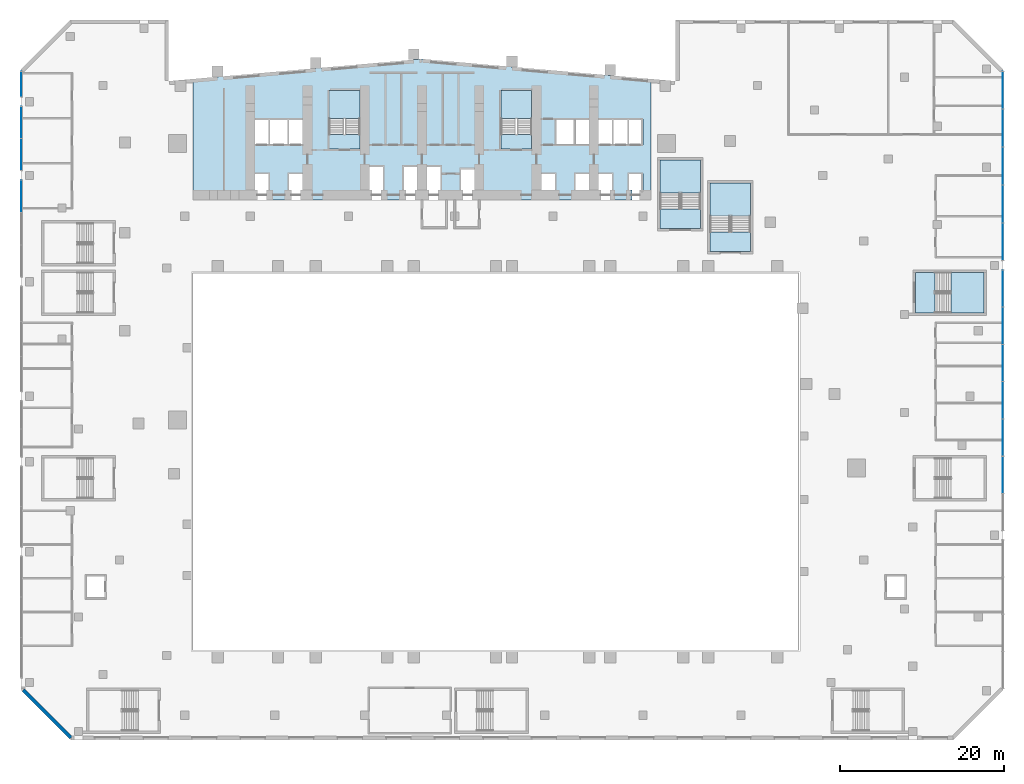
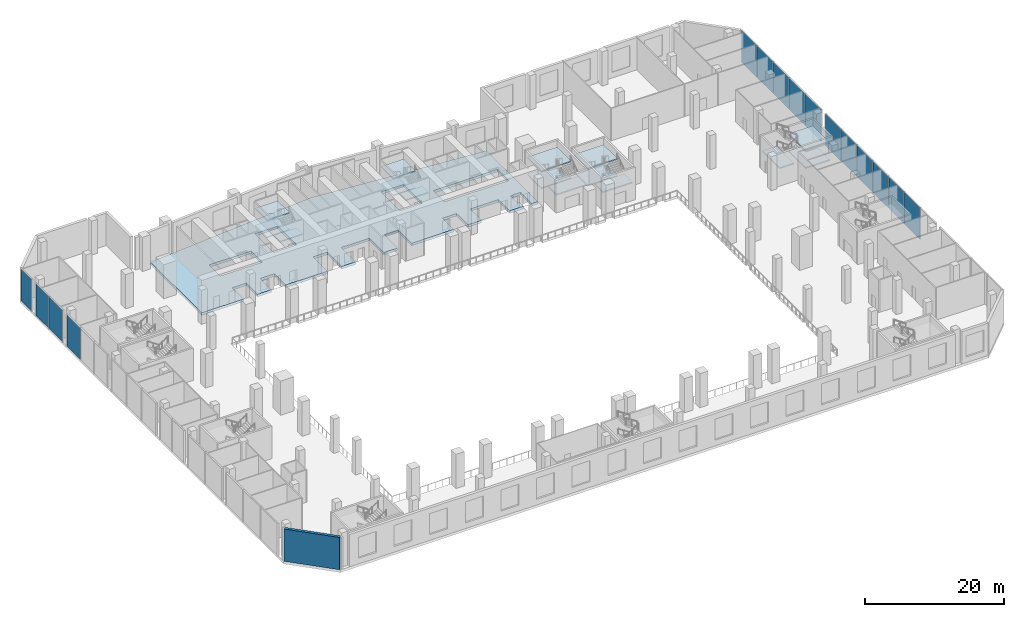
# One storey, part 9 of 30: 16 slabs, 15 plates, 1 wall, 10 elements without a shape of their own.
"""IFC4 building model written with IfcOpenShell, lengths in metres."""

from ifc_helpers import new_model, si_unit, direction, frame, frame_2d, origin, origin_2d, place, context, subcontext, project, spatial, polyline, rectangle, outline, extrude, material, layer, layer_set, type_object, element, aggregate, save


model = new_model("IFC4")

# Units and contexts
model_context = context("Model", 3, precision=1e-05, world=origin(), true_north=direction((0.0, 1.0)))
body_context = subcontext(model_context, "Body", "Model", "MODEL_VIEW")
ifc_project = project(units=[si_unit("LENGTHUNIT", "METRE"), si_unit("AREAUNIT", "SQUARE_METRE"), si_unit("VOLUMEUNIT", "CUBIC_METRE"), si_unit("PLANEANGLEUNIT", "RADIAN"), si_unit("MASSUNIT", "GRAM", prefix="KILO")], contexts=[model_context])

# Site, building, storey
site_placement = place(None, origin())
site = spatial("IfcSite", under=ifc_project, at=site_placement, CompositionType="ELEMENT")
building_placement = place(site_placement, origin())
building = spatial("IfcBuilding", under=site, at=building_placement, Name="Wharfspan Tower", CompositionType="ELEMENT")
storey_placement = place(building_placement, frame((0.0, 0.0, 21.5)))
storey = spatial("IfcBuildingStorey", under=building, at=storey_placement, Name="L03", CompositionType="ELEMENT", Elevation=21.5)

# Curtain wall, plates
ifc_material_1 = material(Name="Aluminium 6063-T6", Category="aluminium")
curtain_wall_type = type_object("IfcCurtainWallType", Name="CURTAIN WALL ARENA STICK WALL", PredefinedType="NOTDEFINED", material=ifc_material_1)
curtain_wall_1_placement = place(storey_placement, origin())
curtain_wall_1 = element("IfcCurtainWall", 1, at=curtain_wall_1_placement, inside=storey, type_object=curtain_wall_type, Name="Concourse stick wall PF3.2", PredefinedType="NOTDEFINED")
ifc_material_2 = material(Name="Glass clear laminated double glazing", Category="glass")
ifc_layer_1 = layer(ifc_material_2, 0.040039)
ifc_layer_set_1 = layer_set([ifc_layer_1], Name="Glass clear laminated double glazing")
plate_type = type_object("IfcPlateType", Name="GLASS PANEL ARENA STICK WALL 40", PredefinedType="CURTAIN_PANEL", material=ifc_layer_set_1)
plate_1_placement = place(storey_placement, frame((108.0, 0.385742, 0.0), z_axis=(0.0, 0.0, 1.0), x_axis=(0.0, 1.0, 0.0)))
plate_1 = element("IfcPlate", 2, at=plate_1_placement, type_object=plate_type, Name="Concourse stick wall PF3.2 panel 2", PredefinedType="CURTAIN_PANEL", context=body_context, shape_type="SweptSolid", body=[
    extrude(rectangle(XDim=4.487061, YDim=0.040039, at=origin_2d()), origin(), (0.0, 0.0, 1.0), 5.610107),
])
plate_2_placement = place(storey_placement, frame((108.0, 4.942871, 0.0), z_axis=(0.0, 0.0, 1.0), x_axis=(0.0, 1.0, 0.0)))
plate_2 = element("IfcPlate", 3, at=plate_2_placement, type_object=plate_type, Name="Concourse stick wall PF3.2 panel 3", PredefinedType="CURTAIN_PANEL", context=body_context, shape_type="SweptSolid", body=[
    extrude(rectangle(XDim=4.487061, YDim=0.040039, at=origin_2d()), origin(), (0.0, 0.0, 1.0), 5.610107),
])
plate_3_placement = place(storey_placement, frame((108.0, 9.5, 0.0), z_axis=(0.0, 0.0, 1.0), x_axis=(0.0, 1.0, 0.0)))
plate_3 = element("IfcPlate", 4, at=plate_3_placement, type_object=plate_type, Name="Concourse stick wall PF3.2 panel 4", PredefinedType="CURTAIN_PANEL", context=body_context, shape_type="SweptSolid", body=[
    extrude(rectangle(XDim=4.487061, YDim=0.040039, at=origin_2d()), origin(), (0.0, 0.0, 1.0), 5.610107),
])
plate_4_placement = place(storey_placement, frame((108.0, 14.057129, 0.0), z_axis=(0.0, 0.0, 1.0), x_axis=(0.0, 1.0, 0.0)))
plate_4 = element("IfcPlate", 5, at=plate_4_placement, type_object=plate_type, Name="Concourse stick wall PF3.2 panel 5", PredefinedType="CURTAIN_PANEL", context=body_context, shape_type="SweptSolid", body=[
    extrude(rectangle(XDim=4.487061, YDim=0.040039, at=origin_2d()), origin(), (0.0, 0.0, 1.0), 5.610107),
])
plate_5_placement = place(storey_placement, frame((108.0, 18.614258, 0.0), z_axis=(0.0, 0.0, 1.0), x_axis=(0.0, 1.0, 0.0)))
plate_5 = element("IfcPlate", 6, at=plate_5_placement, type_object=plate_type, Name="Concourse stick wall PF3.2 panel 6", PredefinedType="CURTAIN_PANEL", context=body_context, shape_type="SweptSolid", body=[
    extrude(rectangle(XDim=4.487061, YDim=0.040039, at=origin_2d()), origin(), (0.0, 0.0, 1.0), 5.610107),
])
plate_6_placement = place(storey_placement, frame((108.0, 23.153809, 0.0), z_axis=(0.0, 0.0, 1.0), x_axis=(0.0, 1.0, 0.0)))
plate_6 = element("IfcPlate", 7, at=plate_6_placement, type_object=plate_type, Name="Concourse stick wall PF3.2 panel 7", PredefinedType="CURTAIN_PANEL", context=body_context, shape_type="SweptSolid", body=[
    extrude(rectangle(XDim=4.452148, YDim=0.040039, at=origin_2d()), origin(), (0.0, 0.0, 1.0), 5.610107),
])
aggregate(curtain_wall_1, [plate_1, plate_2, plate_3, plate_4, plate_5, plate_6])

curtain_wall_2_placement = place(storey_placement, origin())
curtain_wall_2 = element("IfcCurtainWall", 8, at=curtain_wall_2_placement, inside=storey, type_object=curtain_wall_type, Name="Concourse stick wall PF3.3", PredefinedType="NOTDEFINED")
plate_7_placement = place(storey_placement, frame((108.0, 28.887451, 0.0), z_axis=(0.0, 0.0, 1.0), x_axis=(0.0, 1.0, 0.0)))
plate_7 = element("IfcPlate", 9, at=plate_7_placement, type_object=plate_type, Name="Concourse stick wall PF3.3 panel 1", PredefinedType="CURTAIN_PANEL", context=body_context, shape_type="SweptSolid", body=[
    extrude(rectangle(XDim=4.534912, YDim=0.040039, at=origin_2d()), origin(), (0.0, 0.0, 1.0), 5.610107),
])
plate_8_placement = place(storey_placement, frame((108.0, 33.51001, 0.0), z_axis=(0.0, 0.0, 1.0), x_axis=(0.0, 1.0, 0.0)))
plate_8 = element("IfcPlate", 10, at=plate_8_placement, type_object=plate_type, Name="Concourse stick wall PF3.3 panel 2", PredefinedType="CURTAIN_PANEL", context=body_context, shape_type="SweptSolid", body=[
    extrude(rectangle(XDim=4.570068, YDim=0.040039, at=origin_2d()), origin(), (0.0, 0.0, 1.0), 5.610107),
])
plate_9_placement = place(storey_placement, frame((108.0, 38.149902, 0.0), z_axis=(0.0, 0.0, 1.0), x_axis=(0.0, 1.0, 0.0)))
plate_9 = element("IfcPlate", 11, at=plate_9_placement, type_object=plate_type, Name="Concourse stick wall PF3.3 panel 3", PredefinedType="CURTAIN_PANEL", context=body_context, shape_type="SweptSolid", body=[
    extrude(rectangle(XDim=4.570068, YDim=0.040039, at=origin_2d()), origin(), (0.0, 0.0, 1.0), 5.610107),
])
plate_10_placement = place(storey_placement, frame((108.0, 42.790039, 0.0), z_axis=(0.0, 0.0, 1.0), x_axis=(0.0, 1.0, 0.0)))
plate_10 = element("IfcPlate", 12, at=plate_10_placement, type_object=plate_type, Name="Concourse stick wall PF3.3 panel 4", PredefinedType="CURTAIN_PANEL", context=body_context, shape_type="SweptSolid", body=[
    extrude(rectangle(XDim=4.570068, YDim=0.040039, at=origin_2d()), origin(), (0.0, 0.0, 1.0), 5.610107),
])
plate_11_placement = place(storey_placement, frame((108.0, 47.412598, 0.0), z_axis=(0.0, 0.0, 1.0), x_axis=(0.0, 1.0, 0.0)))
plate_11 = element("IfcPlate", 13, at=plate_11_placement, type_object=plate_type, Name="Concourse stick wall PF3.3 panel 5", PredefinedType="CURTAIN_PANEL", context=body_context, shape_type="SweptSolid", body=[
    extrude(rectangle(XDim=4.534912, YDim=0.040039, at=origin_2d()), origin(), (0.0, 0.0, 1.0), 5.610107),
])
aggregate(curtain_wall_2, [plate_7, plate_8, plate_9, plate_10, plate_11])

# Curtain wall, plate
curtain_wall_3_placement = place(storey_placement, origin())
curtain_wall_3 = element("IfcCurtainWall", 14, at=curtain_wall_3_placement, inside=storey, type_object=curtain_wall_type, Name="Concourse stick wall PF12.1", PredefinedType="NOTDEFINED")
plate_12_placement = place(storey_placement, frame((-12.0, 48.149902, 0.0), z_axis=(0.0, 0.0, 1.0), x_axis=(0.0, -1.0, 0.0)))
plate_12 = element("IfcPlate", 15, at=plate_12_placement, type_object=plate_type, Name="Concourse stick wall PF12.1 panel 1", PredefinedType="CURTAIN_PANEL", context=body_context, shape_type="SweptSolid", body=[
    extrude(rectangle(XDim=3.060059, YDim=0.040039, at=origin_2d()), origin(), (0.0, 0.0, 1.0), 5.610107),
])
aggregate(curtain_wall_3, [plate_12])

# Curtain wall, plates
curtain_wall_4_placement = place(storey_placement, origin())
curtain_wall_4 = element("IfcCurtainWall", 16, at=curtain_wall_4_placement, inside=storey, type_object=curtain_wall_type, Name="Concourse stick wall PF12.2", PredefinedType="NOTDEFINED")
plate_13_placement = place(storey_placement, frame((-12.0, 43.45752, 0.0), z_axis=(0.0, 0.0, 1.0), x_axis=(0.0, -1.0, 0.0)))
plate_13 = element("IfcPlate", 17, at=plate_13_placement, type_object=plate_type, Name="Concourse stick wall PF12.2 panel 1", PredefinedType="CURTAIN_PANEL", context=body_context, shape_type="SweptSolid", body=[
    extrude(rectangle(XDim=3.844971, YDim=0.040039, at=origin_2d()), origin(), (0.0, 0.0, 1.0), 5.610107),
])
plate_14_placement = place(storey_placement, frame((-12.0, 39.54248, 0.0), z_axis=(0.0, 0.0, 1.0), x_axis=(0.0, -1.0, 0.0)))
plate_14 = element("IfcPlate", 18, at=plate_14_placement, type_object=plate_type, Name="Concourse stick wall PF12.2 panel 2", PredefinedType="CURTAIN_PANEL", context=body_context, shape_type="SweptSolid", body=[
    extrude(rectangle(XDim=3.844971, YDim=0.040039, at=origin_2d()), origin(), (0.0, 0.0, 1.0), 5.610107),
])
aggregate(curtain_wall_4, [plate_13, plate_14])

# Curtain wall, plate
curtain_wall_5_placement = place(storey_placement, origin())
curtain_wall_5 = element("IfcCurtainWall", 19, at=curtain_wall_5_placement, inside=storey, type_object=curtain_wall_type, Name="Concourse stick wall PF12.3", PredefinedType="NOTDEFINED")
plate_15_placement = place(storey_placement, frame((-12.0, 34.449219, 0.0), z_axis=(0.0, 0.0, 1.0), x_axis=(0.0, -1.0, 0.0)))
plate_15 = element("IfcPlate", 20, at=plate_15_placement, type_object=plate_type, Name="Concourse stick wall PF12.3 panel 1", PredefinedType="CURTAIN_PANEL", context=body_context, shape_type="SweptSolid", body=[
    extrude(rectangle(XDim=3.861572, YDim=0.040039, at=origin_2d()), origin(), (0.0, 0.0, 1.0), 5.610107),
])
aggregate(curtain_wall_5, [plate_15])

# Slab
ifc_material_3 = material(Name="Concrete C35/45", Category="concrete")
ifc_layer_2 = layer(ifc_material_3, 0.449951)
ifc_layer_set_2 = layer_set([ifc_layer_2], Name="Concrete C35/45")
slab_type_1 = type_object("IfcSlabType", Name="Podium deck 450", PredefinedType="FLOOR", material=ifc_layer_set_2)
slab_1_placement = place(storey_placement, frame((0.0, 0.0, -0.450195)))
element("IfcSlab", 21, at=slab_1_placement, inside=storey, type_object=slab_type_1, Name="Core floor L03", PredefinedType="FLOOR", context=body_context, shape_type="SweptSolid", body=[
    extrude(outline(polyline([(65.0, 48.787354), (65.0, 34.0), (64.01001, 34.0), (64.01001, 37.26001), (62.656738, 37.26001), (62.656738, 37.159912), (62.290039, 37.159912), (62.290039, 35.189941), (62.656738, 35.189941), (62.656738, 34.0), (60.343262, 34.0), (60.343262, 37.26001), (55.656738, 37.26001), (55.656738, 34.0), (53.343262, 34.0), (53.343262, 37.26001), (50.98999, 37.26001), (50.98999, 34.0), (44.01001, 34.0), (44.01001, 37.860107), (41.656738, 37.860107), (41.656738, 34.0), (39.343262, 34.0), (39.343262, 38.159912), (34.656738, 38.159912), (34.656738, 34.0), (32.343262, 34.0), (32.343262, 38.159912), (29.98999, 38.159912), (29.98999, 34.0), (23.01001, 34.0), (23.01001, 37.26001), (20.656738, 37.26001), (20.656738, 34.0), (18.343262, 34.0), (18.343262, 37.26001), (15.98999, 37.26001), (15.98999, 34.0), (9.0, 34.0), (9.0, 48.787354), (37.0, 51.237061), (65.0, 48.787354)]), holes=[polyline([(53.323242, 43.909912), (53.323242, 40.689941), (64.01001, 40.689941), (64.01001, 43.909912), (53.323242, 43.909912)]), polyline([(50.409912, 41.98999), (50.409912, 47.409912), (46.639893, 47.409912), (46.639893, 41.98999), (50.409912, 41.98999)]), polyline([(29.409912, 41.98999), (29.409912, 47.409912), (25.639893, 47.409912), (25.639893, 41.98999), (29.409912, 41.98999)]), polyline([(20.676758, 40.689941), (23.01001, 40.689941), (23.01001, 43.909912), (20.676758, 43.909912), (20.656738, 43.909912), (15.98999, 43.909912), (15.98999, 40.689941), (20.656738, 40.689941), (20.676758, 40.689941)])]), origin(), (0.0, 0.0, 1.0), 0.450195),
])

# Stair, slabs
ifc_material_4 = material(Name="Concrete C40/50", Category="concrete")
stair_type_1 = type_object("IfcStairType", Name="Half-turn stair 2400 wide 32 risers 188 mm", PredefinedType="HALF_TURN_STAIR", material=ifc_material_4)
stair_1_placement = place(storey_placement, origin())
stair_1 = element("IfcStair", 22, at=stair_1_placement, inside=storey, type_object=stair_type_1, Name="L03 stair AS4", PredefinedType="HALF_TURN_STAIR")
ifc_layer_3 = layer(ifc_material_4, 0.199951)
ifc_layer_set_3 = layer_set([ifc_layer_3], Name="Concrete C40/50")
slab_type_2 = type_object("IfcSlabType", Name="Podium stair landing 200", PredefinedType="LANDING", material=ifc_layer_set_3)
slab_2_placement = place(storey_placement, frame((0.0, 0.0, 1.299805)))
slab_2 = element("IfcSlab", 23, at=slab_2_placement, type_object=slab_type_2, Name="AS4 landing 1", PredefinedType="LANDING", context=body_context, shape_type="SweptSolid", body=[
    extrude(outline(polyline([(101.659912, 20.199951), (105.699951, 20.199951), (105.699951, 25.149902), (101.659912, 25.149902), (101.659912, 20.199951)])), origin(), (0.0, 0.0, 1.0), 0.200195),
])
slab_3_placement = place(storey_placement, frame((0.0, 0.0, 2.799805)))
slab_3 = element("IfcSlab", 24, at=slab_3_placement, type_object=slab_type_2, Name="AS4 landing 2", PredefinedType="LANDING", context=body_context, shape_type="SweptSolid", body=[
    extrude(outline(polyline([(97.300049, 20.199951), (99.699951, 20.199951), (99.699951, 25.149902), (97.300049, 25.149902), (97.300049, 20.199951)])), origin(), (0.0, 0.0, 1.0), 0.200195),
])
slab_4_placement = place(storey_placement, frame((0.0, 0.0, 4.299805)))
slab_4 = element("IfcSlab", 25, at=slab_4_placement, type_object=slab_type_2, Name="AS4 landing 3", PredefinedType="LANDING", context=body_context, shape_type="SweptSolid", body=[
    extrude(outline(polyline([(101.659912, 20.199951), (105.699951, 20.199951), (105.699951, 25.149902), (101.659912, 25.149902), (101.659912, 20.199951)])), origin(), (0.0, 0.0, 1.0), 0.200195),
])
aggregate(stair_1, [slab_2, slab_3, slab_4])

stair_2_placement = place(storey_placement, origin())
stair_2 = element("IfcStair", 26, at=stair_2_placement, inside=storey, type_object=stair_type_1, Name="L03 stair PS4", PredefinedType="HALF_TURN_STAIR")
slab_5_placement = place(storey_placement, frame((0.0, 0.0, 1.299805)))
slab_5 = element("IfcSlab", 27, at=slab_5_placement, type_object=slab_type_2, Name="PS4 landing 1", PredefinedType="LANDING", context=body_context, shape_type="SweptSolid", body=[
    extrude(outline(polyline([(71.050049, 34.860107), (71.050049, 38.899902), (66.100098, 38.899902), (66.100098, 34.860107), (71.050049, 34.860107)])), origin(), (0.0, 0.0, 1.0), 0.200195),
])
slab_6_placement = place(storey_placement, frame((0.0, 0.0, 2.799805)))
slab_6 = element("IfcSlab", 28, at=slab_6_placement, type_object=slab_type_2, Name="PS4 landing 2", PredefinedType="LANDING", context=body_context, shape_type="SweptSolid", body=[
    extrude(outline(polyline([(71.050049, 30.5), (71.050049, 32.899902), (66.100098, 32.899902), (66.100098, 30.5), (71.050049, 30.5)])), origin(), (0.0, 0.0, 1.0), 0.200195),
])
slab_7_placement = place(storey_placement, frame((0.0, 0.0, 4.299805)))
slab_7 = element("IfcSlab", 29, at=slab_7_placement, type_object=slab_type_2, Name="PS4 landing 3", PredefinedType="LANDING", context=body_context, shape_type="SweptSolid", body=[
    extrude(outline(polyline([(71.050049, 34.860107), (71.050049, 38.899902), (66.100098, 38.899902), (66.100098, 34.860107), (71.050049, 34.860107)])), origin(), (0.0, 0.0, 1.0), 0.200195),
])
aggregate(stair_2, [slab_5, slab_6, slab_7])

stair_3_placement = place(storey_placement, origin())
stair_3 = element("IfcStair", 30, at=stair_3_placement, inside=storey, type_object=stair_type_1, Name="L03 stair PS5", PredefinedType="HALF_TURN_STAIR")
slab_8_placement = place(storey_placement, frame((0.0, 0.0, 1.299805)))
slab_8 = element("IfcSlab", 31, at=slab_8_placement, type_object=slab_type_2, Name="PS5 landing 1", PredefinedType="LANDING", context=body_context, shape_type="SweptSolid", body=[
    extrude(outline(polyline([(77.16748, 32.060059), (77.16748, 36.100098), (72.217529, 36.100098), (72.217529, 32.060059), (77.16748, 32.060059)])), origin(), (0.0, 0.0, 1.0), 0.200195),
])
slab_9_placement = place(storey_placement, frame((0.0, 0.0, 2.799805)))
slab_9 = element("IfcSlab", 32, at=slab_9_placement, type_object=slab_type_2, Name="PS5 landing 2", PredefinedType="LANDING", context=body_context, shape_type="SweptSolid", body=[
    extrude(outline(polyline([(77.16748, 27.699951), (77.16748, 30.100098), (72.217529, 30.100098), (72.217529, 27.699951), (77.16748, 27.699951)])), origin(), (0.0, 0.0, 1.0), 0.200195),
])
slab_10_placement = place(storey_placement, frame((0.0, 0.0, 4.299805)))
slab_10 = element("IfcSlab", 33, at=slab_10_placement, type_object=slab_type_2, Name="PS5 landing 3", PredefinedType="LANDING", context=body_context, shape_type="SweptSolid", body=[
    extrude(outline(polyline([(77.16748, 32.060059), (77.16748, 36.100098), (72.217529, 36.100098), (72.217529, 32.060059), (77.16748, 32.060059)])), origin(), (0.0, 0.0, 1.0), 0.200195),
])
aggregate(stair_3, [slab_8, slab_9, slab_10])

stair_type_2 = type_object("IfcStairType", Name="Half-turn stair 32 risers 188 mm", PredefinedType="HALF_TURN_STAIR", material=ifc_material_4)
stair_4_placement = place(storey_placement, origin())
stair_4 = element("IfcStair", 34, at=stair_4_placement, inside=storey, type_object=stair_type_2, Name="L03 stair ST1", PredefinedType="HALF_TURN_STAIR")
ifc_layer_4 = layer(ifc_material_4, 0.199951)
ifc_layer_set_4 = layer_set([ifc_layer_4], Name="Concrete C40/50")
slab_type_3 = type_object("IfcSlabType", Name="Stair landing 200", PredefinedType="LANDING", material=ifc_layer_set_4)
slab_11_placement = place(storey_placement, frame((0.0, 0.0, 1.299805)))
slab_11 = element("IfcSlab", 35, at=slab_11_placement, type_object=slab_type_3, Name="ST1 landing 1", PredefinedType="LANDING", context=body_context, shape_type="SweptSolid", body=[
    extrude(outline(polyline([(29.399902, 43.959961), (29.399902, 47.399902), (25.649902, 47.399902), (25.649902, 43.959961), (29.399902, 43.959961)])), origin(), (0.0, 0.0, 1.0), 0.200195),
])
slab_12_placement = place(storey_placement, frame((0.0, 0.0, 2.799805)))
slab_12 = element("IfcSlab", 36, at=slab_12_placement, type_object=slab_type_3, Name="ST1 landing 2", PredefinedType="LANDING", context=body_context, shape_type="SweptSolid", body=[
    extrude(outline(polyline([(29.399902, 40.199951), (29.399902, 42.0), (25.649902, 42.0), (25.649902, 40.199951), (29.399902, 40.199951)])), origin(), (0.0, 0.0, 1.0), 0.200195),
])
slab_13_placement = place(storey_placement, frame((0.0, 0.0, 4.299805)))
slab_13 = element("IfcSlab", 37, at=slab_13_placement, type_object=slab_type_3, Name="ST1 landing 3", PredefinedType="LANDING", context=body_context, shape_type="SweptSolid", body=[
    extrude(outline(polyline([(29.399902, 43.959961), (29.399902, 47.399902), (25.649902, 47.399902), (25.649902, 43.959961), (29.399902, 43.959961)])), origin(), (0.0, 0.0, 1.0), 0.200195),
])
aggregate(stair_4, [slab_11, slab_12, slab_13])

stair_5_placement = place(storey_placement, origin())
stair_5 = element("IfcStair", 38, at=stair_5_placement, inside=storey, type_object=stair_type_2, Name="L03 stair ST2", PredefinedType="HALF_TURN_STAIR")
slab_14_placement = place(storey_placement, frame((0.0, 0.0, 1.299805)))
slab_14 = element("IfcSlab", 39, at=slab_14_placement, type_object=slab_type_3, Name="ST2 landing 1", PredefinedType="LANDING", context=body_context, shape_type="SweptSolid", body=[
    extrude(outline(polyline([(50.399902, 43.959961), (50.399902, 47.399902), (46.649902, 47.399902), (46.649902, 43.959961), (50.399902, 43.959961)])), origin(), (0.0, 0.0, 1.0), 0.200195),
])
slab_15_placement = place(storey_placement, frame((0.0, 0.0, 2.799805)))
slab_15 = element("IfcSlab", 40, at=slab_15_placement, type_object=slab_type_3, Name="ST2 landing 2", PredefinedType="LANDING", context=body_context, shape_type="SweptSolid", body=[
    extrude(outline(polyline([(50.399902, 40.199951), (50.399902, 42.0), (46.649902, 42.0), (46.649902, 40.199951), (50.399902, 40.199951)])), origin(), (0.0, 0.0, 1.0), 0.200195),
])
slab_16_placement = place(storey_placement, frame((0.0, 0.0, 4.299805)))
slab_16 = element("IfcSlab", 41, at=slab_16_placement, type_object=slab_type_3, Name="ST2 landing 3", PredefinedType="LANDING", context=body_context, shape_type="SweptSolid", body=[
    extrude(outline(polyline([(50.399902, 43.959961), (50.399902, 47.399902), (46.649902, 47.399902), (46.649902, 43.959961), (50.399902, 43.959961)])), origin(), (0.0, 0.0, 1.0), 0.200195),
])
aggregate(stair_5, [slab_14, slab_15, slab_16])

# Wall
ifc_layer_5 = layer(ifc_material_4, 0.449951)
ifc_layer_set_5 = layer_set([ifc_layer_5], Name="Concrete C40/50")
wall_type = type_object("IfcWallType", Name="WALL BOARD-MARKED CONCRETE 450", PredefinedType="SOLIDWALL", material=ifc_layer_set_5)
wall_placement = place(storey_placement, frame((-11.770264, -25.911621, 0.0), z_axis=(0.0, 0.0, 1.0), x_axis=(0.707107, -0.707107, 0.0)))
element("IfcWall", 42, at=wall_placement, inside=storey, type_object=wall_type, Name="Podium wall PF13", PredefinedType="SOLIDWALL", context=body_context, shape_type="SweptSolid", body=[
    extrude(rectangle(XDim=8.2854, YDim=0.449951, at=frame_2d((4.142578, 0.0))), origin(), (0.0, 0.0, 1.0), 5.699951),
])

save(model, "model.ifc")
